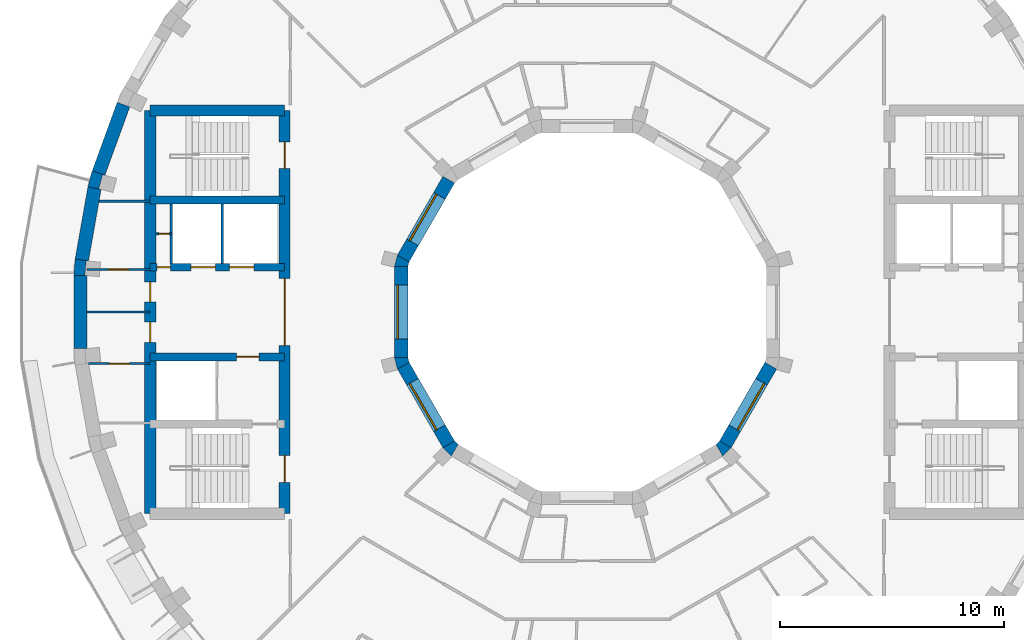
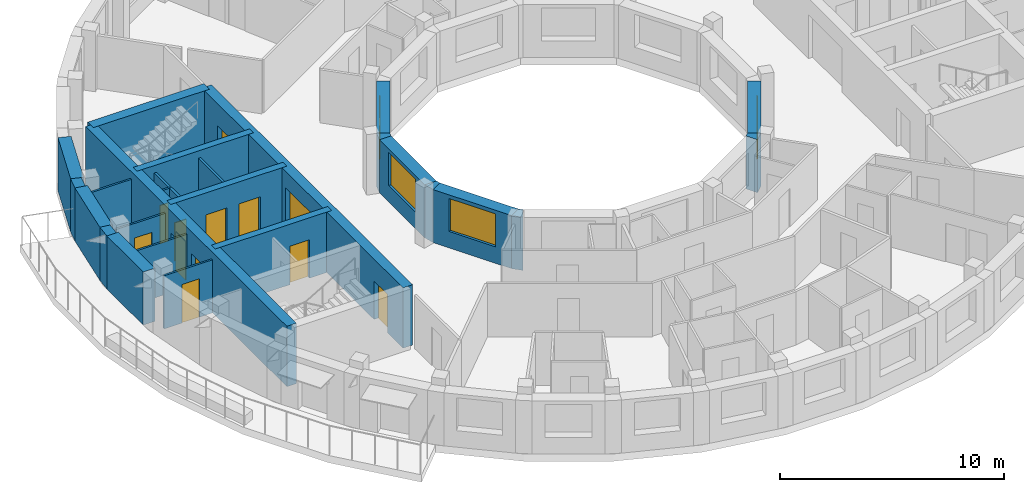
# One storey, part 4 of 10: 26 walls, 12 doors, 4 windows, 16 openings.
"""IFC4 building model written with IfcOpenShell, lengths in metres."""

from ifc_helpers import new_model, si_unit, direction, frame, frame_2d, origin, place, context, subcontext, project, spatial, polyline, rectangle, outline, extrude, material, layer, layer_set, type_object, element, fill, save


model = new_model("IFC4")

# Units and contexts
model_context = context("Model", 3, precision=1e-05, world=origin(), true_north=direction((0.0, 1.0)))
body_context = subcontext(model_context, "Body", "Model", "MODEL_VIEW")
ifc_project = project(units=[si_unit("LENGTHUNIT", "METRE"), si_unit("AREAUNIT", "SQUARE_METRE"), si_unit("VOLUMEUNIT", "CUBIC_METRE"), si_unit("PLANEANGLEUNIT", "RADIAN"), si_unit("MASSUNIT", "GRAM", prefix="KILO")], contexts=[model_context])

# Site, building, storey
site_placement = place(None, origin())
site = spatial("IfcSite", under=ifc_project, at=site_placement, CompositionType="ELEMENT")
building_placement = place(site_placement, origin())
building = spatial("IfcBuilding", under=site, at=building_placement, Name="Saqina Gate Tower", CompositionType="ELEMENT")
storey_placement = place(building_placement, frame((0.0, 0.0, 252.800048828125)))
storey = spatial("IfcBuildingStorey", under=building, at=storey_placement, Name="L72", CompositionType="ELEMENT", Elevation=252.800048828125)

# Walls
ifc_material_1 = material(Name="Brick masonry (buff)", Category="masonry")
wall_type_1 = type_object("IfcWallType", Name="BRICK PIER COPING BUFF", PredefinedType="SOLIDWALL", material=ifc_material_1)
wall_1_placement = place(storey_placement, origin())
element("IfcWall", 1, at=wall_1_placement, inside=storey, type_object=wall_type_1, Name="Pier cap L72 column 17", PredefinedType="SOLIDWALL", context=body_context, shape_type="SweptSolid", body=[
    extrude(outline(polyline([(-22.281982421875, 5.579833984375), (-21.691162109375, 5.4755859375), (-21.793212890625, 5.5029296875), (-21.625, 6.130859375), (-21.52294921875, 6.103515625), (-22.0869140625, 6.30859375), (-22.281982421875, 5.579833984375)])), origin(), (0.0, 0.0, 1.0), 2.89990234375),
])
wall_2_placement = place(storey_placement, origin())
element("IfcWall", 2, at=wall_2_placement, inside=storey, type_object=wall_type_1, Name="Pier cap L72 column 18", PredefinedType="SOLIDWALL", context=body_context, shape_type="SweptSolid", body=[
    extrude(outline(polyline([(-22.8466796875, 2.377685546875), (-22.91259765625, 1.625732421875), (-22.3125, 1.625732421875), (-22.417724609375, 1.635009765625), (-22.361083984375, 2.28271484375), (-22.255859375, 2.2734375), (-22.8466796875, 2.377685546875)])), origin(), (0.0, 0.0, 1.0), 2.89990234375),
])

# Wall, opening, door
ifc_material_2 = material(Name="Gypsum board on steel studs", Category="steel")
ifc_layer_1 = layer(ifc_material_2, 0.10009765625)
ifc_layer_set_1 = layer_set([ifc_layer_1], Name="CORE PARTITION")
wall_type_2 = type_object("IfcWallType", Name="CORE PARTITION", PredefinedType="PARTITIONING", material=ifc_layer_set_1)
wall_3_placement = place(storey_placement, frame((-18.56005859375, 3.5, 0.0), z_axis=(0.0, 0.0, 1.0), x_axis=(-1.0, 0.0, 0.0)))
wall_3 = element("IfcWall", 3, at=wall_3_placement, inside=storey, type_object=wall_type_2, Name="L72-CP-W01", PredefinedType="PARTITIONING", context=body_context, shape_type="SweptSolid", body=[
    extrude(rectangle(XDim=0.68994140625, YDim=0.10009765625, at=frame_2d((0.344970703125, 0.0))), origin(), (0.0, 0.0, 1.0), 2.89990234375),
])
opening_1_placement = place(wall_3_placement, frame((0.10009765625, 0.0, 0.0)))
opening_1 = element("IfcOpeningElement", 4, at=opening_1_placement, cuts=wall_3, Name="Opening G21-D107", PredefinedType="OPENING", context=body_context, shape_type="SweptSolid", body=[
    extrude(rectangle(XDim=0.449951171875, YDim=2.10009765625, at=frame_2d((0.22509765625, 1.050048828125))), frame((0.0, 0.06201171875, 0.0), z_axis=(0.0, -1.0, 0.0), x_axis=(1.0, 0.0, 0.0)), (0.0, 0.0, 1.0), 0.1240234375),
])
ifc_material_3 = material(Name="Steel-framed fire door leaf, EI 60", Category="steel")
door_type_1 = type_object("IfcDoorType", Name="SERVICE ROOM DOOR 450", OperationType="SINGLE_SWING_LEFT", PredefinedType="DOOR", material=ifc_material_3)
door_1_placement = place(opening_1_placement, origin())
door_1 = element("IfcDoor", 5, at=door_1_placement, inside=storey, type_object=door_type_1, Name="L72-CD-W18", OperationType="SINGLE_SWING_RIGHT", OverallHeight=2.10009765625, OverallWidth=0.449951171875, PredefinedType="DOOR", context=body_context, shape_type="SweptSolid", body=[
    extrude(rectangle(XDim=0.449951171875, YDim=2.10009765625, at=frame_2d((0.22509765625, 1.050048828125))), frame((0.0, 0.02490234375, 0.0), z_axis=(0.0, -1.0, 0.0), x_axis=(1.0, 0.0, 0.0)), (0.0, 0.0, 1.0), 0.050048828125),
])
fill(opening_1, door_1)

# Wall
wall_4_placement = place(storey_placement, frame((-19.5, 4.949951171875, 0.0), z_axis=(0.0, 0.0, 1.0), x_axis=(-1.0, 0.0, 0.0)))
element("IfcWall", 6, at=wall_4_placement, inside=storey, type_object=wall_type_2, Name="L72-CP-W02", PredefinedType="PARTITIONING", context=body_context, shape_type="SweptSolid", body=[
    extrude(rectangle(XDim=2.283935546875, YDim=0.10009765625, at=frame_2d((1.14208984375, 0.0))), origin(), (0.0, 0.0, 1.0), 2.89990234375),
])

# Wall, opening, door
wall_5_placement = place(storey_placement, frame((-19.5, 1.89990234375, 0.0), z_axis=(0.0, 0.0, 1.0), x_axis=(-1.0, 0.0, 0.0)))
wall_5 = element("IfcWall", 7, at=wall_5_placement, inside=storey, type_object=wall_type_2, Name="L72-CP-W03", PredefinedType="PARTITIONING", context=body_context, shape_type="SweptSolid", body=[
    extrude(rectangle(XDim=2.8125, YDim=0.10009765625, at=frame_2d((1.40625, 0.0))), origin(), (0.0, 0.0, 1.0), 2.89990234375),
])
opening_2_placement = place(wall_5_placement, frame((0.956298828125, 0.0, 0.0)))
opening_2 = element("IfcOpeningElement", 8, at=opening_2_placement, cuts=wall_5, Name="Opening G21-D103", PredefinedType="OPENING", context=body_context, shape_type="SweptSolid", body=[
    extrude(rectangle(XDim=0.89990234375, YDim=2.10009765625, at=frame_2d((0.449951171875, 1.050048828125))), frame((0.0, 0.06201171875, 0.0), z_axis=(0.0, -1.0, 0.0), x_axis=(1.0, 0.0, 0.0)), (0.0, 0.0, 1.0), 0.1240234375),
])
ifc_material_4 = material(Name="Steel-framed fire door leaf, EI 60", Category="steel")
door_type_2 = type_object("IfcDoorType", Name="SERVICE ROOM DOOR 900", OperationType="SINGLE_SWING_LEFT", PredefinedType="DOOR", material=ifc_material_4)
door_2_placement = place(opening_2_placement, frame((0.89990234375, 0.0, 0.0), z_axis=(0.0, 0.0, 1.0), x_axis=(-1.0, 0.0, 0.0)))
door_2 = element("IfcDoor", 9, at=door_2_placement, inside=storey, type_object=door_type_2, Name="L72-CD-W14", OperationType="SINGLE_SWING_LEFT", OverallHeight=2.10009765625, OverallWidth=0.89990234375, PredefinedType="DOOR", context=body_context, shape_type="SweptSolid", body=[
    extrude(rectangle(XDim=0.89990234375, YDim=2.10009765625, at=frame_2d((0.449951171875, 1.050048828125))), frame((0.0, 0.02490234375, 0.0), z_axis=(0.0, -1.0, 0.0), x_axis=(1.0, 0.0, 0.0)), (0.0, 0.0, 1.0), 0.050048828125),
])
fill(opening_2, door_2)

wall_6_placement = place(storey_placement, frame((-19.5, -2.300048828125, 0.0), z_axis=(0.0, 0.0, 1.0), x_axis=(-1.0, 0.0, 0.0)))
wall_6 = element("IfcWall", 10, at=wall_6_placement, inside=storey, type_object=wall_type_2, Name="L72-CP-W05", PredefinedType="PARTITIONING", context=body_context, shape_type="SweptSolid", body=[
    extrude(rectangle(XDim=2.751220703125, YDim=0.10009765625, at=frame_2d((1.37548828125, 0.0))), origin(), (0.0, 0.0, 1.0), 2.89990234375),
])
opening_3_placement = place(wall_6_placement, frame((0.925537109375, 0.0, 0.0)))
opening_3 = element("IfcOpeningElement", 11, at=opening_3_placement, cuts=wall_6, Name="Opening G21-D105", PredefinedType="OPENING", context=body_context, shape_type="SweptSolid", body=[
    extrude(rectangle(XDim=0.89990234375, YDim=2.10009765625, at=frame_2d((0.449951171875, 1.050048828125))), frame((0.0, 0.06201171875, 0.0), z_axis=(0.0, -1.0, 0.0), x_axis=(1.0, 0.0, 0.0)), (0.0, 0.0, 1.0), 0.1240234375),
])
door_3_placement = place(opening_3_placement, origin())
door_3 = element("IfcDoor", 12, at=door_3_placement, inside=storey, type_object=door_type_2, Name="L72-CD-W16", OperationType="SINGLE_SWING_LEFT", OverallHeight=2.10009765625, OverallWidth=0.89990234375, PredefinedType="DOOR", context=body_context, shape_type="SweptSolid", body=[
    extrude(rectangle(XDim=0.89990234375, YDim=2.10009765625, at=frame_2d((0.449951171875, 1.050048828125))), frame((0.0, 0.02490234375, 0.0), z_axis=(0.0, -1.0, 0.0), x_axis=(1.0, 0.0, 0.0)), (0.0, 0.0, 1.0), 0.050048828125),
])
fill(opening_3, door_3)

# Walls
wall_7_placement = place(storey_placement, frame((-19.5, 0.0, 0.0), z_axis=(0.0, 0.0, 1.0), x_axis=(-1.0, 0.0, 0.0)))
element("IfcWall", 13, at=wall_7_placement, inside=storey, type_object=wall_type_2, Name="L72-CP-W06", PredefinedType="PARTITIONING", context=body_context, shape_type="SweptSolid", body=[
    extrude(rectangle(XDim=2.8125, YDim=0.10009765625, at=frame_2d((1.40625, 0.0))), origin(), (0.0, 0.0, 1.0), 2.89990234375),
])
ifc_material_5 = material(Name="Glazed ceramic tile", Category="ceramic")
ifc_layer_2 = layer(ifc_material_5, 0.60009765625)
ifc_layer_set_2 = layer_set([ifc_layer_2], Name="FW-TILE")
wall_type_3 = type_object("IfcWallType", Name="FW-TILE", PredefinedType="SOLIDWALL", material=ifc_layer_set_2)
wall_8_placement = place(storey_placement, frame((-21.986572265625, 5.52783203125, 0.0), z_axis=(0.0, 0.0, 1.0), x_axis=(-0.173656842178, -0.984806225186, 0.0)))
element("IfcWall", 14, at=wall_8_placement, inside=storey, type_object=wall_type_3, Name="Facade wall L72 facet 17", PredefinedType="SOLIDWALL", context=body_context, shape_type="SweptSolid", body=[
    extrude(rectangle(XDim=3.251708984375, YDim=0.60009765625, at=frame_2d((1.6259765625, 0.0))), origin(), (0.0, 0.0, 1.0), 2.89990234375),
])
ifc_material_6 = material(Name="Glazed ceramic tile (dark blue)", Category="ceramic")
ifc_layer_3 = layer(ifc_material_6, 0.60009765625)
ifc_layer_set_3 = layer_set([ifc_layer_3], Name="FW-TILE-CB")
wall_type_4 = type_object("IfcWallType", Name="FW-TILE-CB", PredefinedType="SOLIDWALL", material=ifc_layer_set_3)
wall_9_placement = place(storey_placement, frame((-22.612548828125, 1.625732421875, 0.0), z_axis=(0.0, 0.0, 1.0), x_axis=(0.0, -1.0, 0.0)))
element("IfcWall", 15, at=wall_9_placement, inside=storey, type_object=wall_type_4, Name="Facade wall L72 facet 18", PredefinedType="SOLIDWALL", context=body_context, shape_type="SweptSolid", body=[
    extrude(rectangle(XDim=3.25146484375, YDim=0.60009765625, at=frame_2d((1.625732421875, 0.0))), origin(), (0.0, 0.0, 1.0), 2.89990234375),
])
ifc_material_7 = material(Name="Glazed ceramic tile (white)", Category="ceramic")
ifc_layer_4 = layer(ifc_material_7, 0.60009765625)
ifc_layer_set_4 = layer_set([ifc_layer_4], Name="FW-TILE-WH")
wall_type_5 = type_object("IfcWallType", Name="FW-TILE-WH", PredefinedType="SOLIDWALL", material=ifc_layer_set_4)
wall_10_placement = place(storey_placement, frame((-20.692626953125, 9.26171875, 0.0), z_axis=(0.0, 0.0, 1.0), x_axis=(-0.342056509473, -0.939679383794, 0.0)))
element("IfcWall", 16, at=wall_10_placement, inside=storey, type_object=wall_type_5, Name="Facade wall L72 facet 16", PredefinedType="SOLIDWALL", context=body_context, shape_type="SweptSolid", body=[
    extrude(rectangle(XDim=3.251708984375, YDim=0.60009765625, at=frame_2d((1.6259765625, 0.0))), origin(), (0.0, 0.0, 1.0), 2.89990234375),
])

# Wall, opening, window
ifc_material_8 = material(Name="Glazed ceramic tile", Category="ceramic")
ifc_layer_5 = layer(ifc_material_8, 0.60009765625)
ifc_layer_set_5 = layer_set([ifc_layer_5], Name="IW-TILE")
wall_type_6 = type_object("IfcWallType", Name="IW-TILE", PredefinedType="SOLIDWALL", material=ifc_layer_set_5)
wall_11_placement = place(storey_placement, frame((-6.17333984375, 5.907470703125, 0.0), z_axis=(0.0, 0.0, 1.0), x_axis=(-0.499994954979, -0.866028316509, 0.0)))
wall_11 = element("IfcWall", 17, at=wall_11_placement, inside=storey, type_object=wall_type_6, Name="Well wall L72 facet 5", PredefinedType="SOLIDWALL", context=body_context, shape_type="SweptSolid", body=[
    extrude(rectangle(XDim=4.05859375, YDim=0.60009765625, at=frame_2d((2.029296875, 0.0))), origin(), (0.0, 0.0, 1.0), 2.89990234375),
])
opening_4_placement = place(wall_11_placement, frame((0.829345703125, 0.0, 0.89990234375)))
opening_4 = element("IfcOpeningElement", 18, at=opening_4_placement, cuts=wall_11, Name="Opening G21-W29", PredefinedType="OPENING", context=body_context, shape_type="SweptSolid", body=[
    extrude(rectangle(XDim=2.39990234375, YDim=1.800048828125, at=frame_2d((1.199951171875, 0.89990234375))), frame((0.0, 0.31201171875, 0.0), z_axis=(0.0, -1.0, 0.0), x_axis=(1.0, 0.0, 0.0)), (0.0, 0.0, 1.0), 0.6240234375),
])
ifc_material_9 = material(Name="Aluminium glazing", Category="aluminium")
window_type = type_object("IfcWindowType", Name="WN-W", PartitioningType="SINGLE_PANEL", PredefinedType="WINDOW", material=ifc_material_9)
window_1_placement = place(opening_4_placement, origin())
window_1 = element("IfcWindow", 19, at=window_1_placement, inside=storey, type_object=window_type, Name="Well window L72 facet 5", OverallHeight=1.800048828125, OverallWidth=2.39990234375, PartitioningType="SINGLE_PANEL", PredefinedType="WINDOW", context=body_context, shape_type="SweptSolid", body=[
    extrude(rectangle(XDim=2.39990234375, YDim=1.800048828125, at=frame_2d((1.199951171875, 0.89990234375))), frame((0.0, -0.119873046875, 0.0), z_axis=(0.0, -1.0, 0.0), x_axis=(1.0, 0.0, 0.0)), (0.0, 0.0, 1.0), 0.06005859375),
])
fill(opening_4, window_1)

wall_12_placement = place(storey_placement, frame((-8.300048828125, 2.029296875, 0.0), z_axis=(0.0, 0.0, 1.0), x_axis=(0.0, -1.0, 0.0)))
wall_12 = element("IfcWall", 20, at=wall_12_placement, inside=storey, type_object=wall_type_6, Name="Well wall L72 facet 6", PredefinedType="SOLIDWALL", context=body_context, shape_type="SweptSolid", body=[
    extrude(rectangle(XDim=4.05859375, YDim=0.60009765625, at=frame_2d((2.029296875, 0.0))), origin(), (0.0, 0.0, 1.0), 2.89990234375),
])
opening_5_placement = place(wall_12_placement, frame((0.829345703125, 0.0, 0.89990234375)))
opening_5 = element("IfcOpeningElement", 21, at=opening_5_placement, cuts=wall_12, Name="Opening G21-W30", PredefinedType="OPENING", context=body_context, shape_type="SweptSolid", body=[
    extrude(rectangle(XDim=2.39990234375, YDim=1.800048828125, at=frame_2d((1.199951171875, 0.89990234375))), frame((0.0, 0.31201171875, 0.0), z_axis=(0.0, -1.0, 0.0), x_axis=(1.0, 0.0, 0.0)), (0.0, 0.0, 1.0), 0.6240234375),
])
window_2_placement = place(opening_5_placement, origin())
window_2 = element("IfcWindow", 22, at=window_2_placement, inside=storey, type_object=window_type, Name="Well window L72 facet 6", OverallHeight=1.800048828125, OverallWidth=2.39990234375, PartitioningType="SINGLE_PANEL", PredefinedType="WINDOW", context=body_context, shape_type="SweptSolid", body=[
    extrude(rectangle(XDim=2.39990234375, YDim=1.800048828125, at=frame_2d((1.199951171875, 0.89990234375))), frame((0.0, -0.119873046875, 0.0), z_axis=(0.0, -1.0, 0.0), x_axis=(1.0, 0.0, 0.0)), (0.0, 0.0, 1.0), 0.06005859375),
])
fill(opening_5, window_2)

wall_13_placement = place(storey_placement, frame((-8.20263671875, -2.392578125, 0.0), z_axis=(0.0, 0.0, 1.0), x_axis=(0.499994954979, -0.866028316509, 0.0)))
wall_13 = element("IfcWall", 23, at=wall_13_placement, inside=storey, type_object=wall_type_6, Name="Well wall L72 facet 7", PredefinedType="SOLIDWALL", context=body_context, shape_type="SweptSolid", body=[
    extrude(rectangle(XDim=4.05859375, YDim=0.60009765625, at=frame_2d((2.029296875, 0.0))), origin(), (0.0, 0.0, 1.0), 2.89990234375),
])
opening_6_placement = place(wall_13_placement, frame((0.829345703125, 0.0, 0.89990234375)))
opening_6 = element("IfcOpeningElement", 24, at=opening_6_placement, cuts=wall_13, Name="Opening G21-W31", PredefinedType="OPENING", context=body_context, shape_type="SweptSolid", body=[
    extrude(rectangle(XDim=2.39990234375, YDim=1.800048828125, at=frame_2d((1.199951171875, 0.89990234375))), frame((0.0, 0.31201171875, 0.0), z_axis=(0.0, -1.0, 0.0), x_axis=(1.0, 0.0, 0.0)), (0.0, 0.0, 1.0), 0.6240234375),
])
window_3_placement = place(opening_6_placement, origin())
window_3 = element("IfcWindow", 25, at=window_3_placement, inside=storey, type_object=window_type, Name="Well window L72 facet 7", OverallHeight=1.800048828125, OverallWidth=2.39990234375, PartitioningType="SINGLE_PANEL", PredefinedType="WINDOW", context=body_context, shape_type="SweptSolid", body=[
    extrude(rectangle(XDim=2.39990234375, YDim=1.800048828125, at=frame_2d((1.199951171875, 0.89990234375))), frame((0.0, -0.119873046875, 0.0), z_axis=(0.0, -1.0, 0.0), x_axis=(1.0, 0.0, 0.0)), (0.0, 0.0, 1.0), 0.06005859375),
])
fill(opening_6, window_3)

wall_14_placement = place(storey_placement, frame((6.17333984375, -5.907470703125, 0.0), z_axis=(0.0, 0.0, 1.0), x_axis=(0.499994954979, 0.866028316509, 0.0)))
wall_14 = element("IfcWall", 26, at=wall_14_placement, inside=storey, type_object=wall_type_6, Name="Well wall L72 facet 11", PredefinedType="SOLIDWALL", context=body_context, shape_type="SweptSolid", body=[
    extrude(rectangle(XDim=4.05859375, YDim=0.60009765625, at=frame_2d((2.029296875, 0.0))), origin(), (0.0, 0.0, 1.0), 2.89990234375),
])
opening_7_placement = place(wall_14_placement, frame((0.829345703125, 0.0, 0.89990234375)))
opening_7 = element("IfcOpeningElement", 27, at=opening_7_placement, cuts=wall_14, Name="Opening G21-W35", PredefinedType="OPENING", context=body_context, shape_type="SweptSolid", body=[
    extrude(rectangle(XDim=2.39990234375, YDim=1.800048828125, at=frame_2d((1.199951171875, 0.89990234375))), frame((0.0, 0.31201171875, 0.0), z_axis=(0.0, -1.0, 0.0), x_axis=(1.0, 0.0, 0.0)), (0.0, 0.0, 1.0), 0.6240234375),
])
window_4_placement = place(opening_7_placement, origin())
window_4 = element("IfcWindow", 28, at=window_4_placement, inside=storey, type_object=window_type, Name="Well window L72 facet 11", OverallHeight=1.800048828125, OverallWidth=2.39990234375, PartitioningType="SINGLE_PANEL", PredefinedType="WINDOW", context=body_context, shape_type="SweptSolid", body=[
    extrude(rectangle(XDim=2.39990234375, YDim=1.800048828125, at=frame_2d((1.199951171875, 0.89990234375))), frame((0.0, -0.119873046875, 0.0), z_axis=(0.0, -1.0, 0.0), x_axis=(1.0, 0.0, 0.0)), (0.0, 0.0, 1.0), 0.06005859375),
])
fill(opening_7, window_4)

# Walls
ifc_material_10 = material(Name="Autoclaved aerated concrete block", Category="concrete")
ifc_layer_6 = layer(ifc_material_10, 0.1201171875)
ifc_layer_set_6 = layer_set([ifc_layer_6], Name="SHAFT PARTITION")
wall_type_7 = type_object("IfcWallType", Name="SHAFT PARTITION", PredefinedType="PARTITIONING", material=ifc_layer_set_6)
for number, where, z_axis, x_axis, name in (
    (29, (-16.280029296875, 2.175048828125, 0.0), (0.0, 0.0, 1.0), (0.0, 1.0, 0.0), "L72-CP-W07"),
    (30, (-18.56005859375, 2.175048828125, 0.0), (0.0, 0.0, 1.0), (0.0, 1.0, 0.0), "L72-CP-W08"),
):
    element("IfcWall", number, at=place(storey_placement, frame(where, z_axis=z_axis, x_axis=x_axis)), inside=storey, type_object=wall_type_7, Name=name, PredefinedType="PARTITIONING", context=body_context, shape_type="SweptSolid", body=[
        extrude(rectangle(XDim=2.64990234375, YDim=0.1201171875, at=frame_2d((1.324951171875, 0.0))), origin(), (0.0, 0.0, 1.0), 2.89990234375),
    ])
ifc_material_11 = material(Name="Concrete C60/75", Category="concrete")
ifc_layer_7 = layer(ifc_material_11, 0.35009765625)
ifc_layer_set_7 = layer_set([ifc_layer_7], Name="Concrete C60/75")
wall_type_8 = type_object("IfcWallType", Name="STR-CORE WALL-D-I", PredefinedType="SHEAR", material=ifc_layer_set_7)
wall_15_placement = place(storey_placement, frame((-13.5, 5.0, 0.0), z_axis=(0.0, 0.0, 1.0), x_axis=(-1.0, 0.0, 0.0)))
element("IfcWall", 31, at=wall_15_placement, inside=storey, type_object=wall_type_8, Name="CORE WALL L72 W-X1", PredefinedType="SHEAR", context=body_context, shape_type="SweptSolid", body=[
    extrude(rectangle(XDim=6.0, YDim=0.35009765625, at=frame_2d((3.0, 0.0))), origin(), (0.0, 0.0, 1.0), 3.300048828125),
])

# Wall, openings, doors
wall_16_placement = place(storey_placement, frame((-13.5, 2.0, 0.0), z_axis=(0.0, 0.0, 1.0), x_axis=(-1.0, 0.0, 0.0)))
wall_16 = element("IfcWall", 32, at=wall_16_placement, inside=storey, type_object=wall_type_8, Name="CORE WALL L72 W-L1", PredefinedType="SHEAR", context=body_context, shape_type="SweptSolid", body=[
    extrude(rectangle(XDim=6.0, YDim=0.35009765625, at=frame_2d((3.0, 0.0))), origin(), (0.0, 0.0, 1.0), 3.300048828125),
])
opening_8_placement = place(wall_16_placement, frame((1.3701171875, 0.0, 0.0)))
opening_8 = element("IfcOpeningElement", 33, at=opening_8_placement, cuts=wall_16, Name="Opening G21-LD4", PredefinedType="OPENING", context=body_context, shape_type="SweptSolid", body=[
    extrude(rectangle(XDim=1.10009765625, YDim=2.10009765625, at=frame_2d((0.550048828125, 1.050048828125))), frame((0.0, 0.18701171875, 0.0), z_axis=(0.0, -1.0, 0.0), x_axis=(1.0, 0.0, 0.0)), (0.0, 0.0, 1.0), 0.3740234375),
])
opening_9_placement = place(wall_16_placement, frame((3.090087890625, 0.0, 0.0)))
opening_9 = element("IfcOpeningElement", 34, at=opening_9_placement, cuts=wall_16, Name="Opening G21-LD5", PredefinedType="OPENING", context=body_context, shape_type="SweptSolid", body=[
    extrude(rectangle(XDim=1.10009765625, YDim=2.10009765625, at=frame_2d((0.550048828125, 1.050048828125))), frame((0.0, 0.18701171875, 0.0), z_axis=(0.0, -1.0, 0.0), x_axis=(1.0, 0.0, 0.0)), (0.0, 0.0, 1.0), 0.3740234375),
])
opening_10_placement = place(wall_16_placement, frame((5.10498046875, 0.0, 0.0)))
opening_10 = element("IfcOpeningElement", 35, at=opening_10_placement, cuts=wall_16, Name="Opening G21-D101", PredefinedType="OPENING", context=body_context, shape_type="SweptSolid", body=[
    extrude(rectangle(XDim=0.60009765625, YDim=2.10009765625, at=frame_2d((0.300048828125, 1.050048828125))), frame((0.0, 0.18701171875, 0.0), z_axis=(0.0, -1.0, 0.0), x_axis=(1.0, 0.0, 0.0)), (0.0, 0.0, 1.0), 0.3740234375),
])
ifc_material_12 = material(Name="Stainless steel", Category="steel")
door_type_3 = type_object("IfcDoorType", Name="LANDING DOOR", OperationType="DOUBLE_DOOR_SLIDING", PredefinedType="DOOR", material=ifc_material_12)
door_4_placement = place(opening_8_placement, origin())
door_4 = element("IfcDoor", 36, at=door_4_placement, inside=storey, type_object=door_type_3, Name="LANDING DOOR HR3", OperationType="DOUBLE_DOOR_SLIDING", OverallHeight=2.10009765625, OverallWidth=1.10009765625, PredefinedType="DOOR", context=body_context, shape_type="SweptSolid", body=[
    extrude(rectangle(XDim=1.10009765625, YDim=2.10009765625, at=frame_2d((0.550048828125, 1.050048828125))), frame((0.0, 0.02490234375, 0.0), z_axis=(0.0, -1.0, 0.0), x_axis=(1.0, 0.0, 0.0)), (0.0, 0.0, 1.0), 0.050048828125),
])
fill(opening_8, door_4)
door_5_placement = place(opening_9_placement, origin())
door_5 = element("IfcDoor", 37, at=door_5_placement, inside=storey, type_object=door_type_3, Name="LANDING DOOR HR4", OperationType="DOUBLE_DOOR_SLIDING", OverallHeight=2.10009765625, OverallWidth=1.10009765625, PredefinedType="DOOR", context=body_context, shape_type="SweptSolid", body=[
    extrude(rectangle(XDim=1.10009765625, YDim=2.10009765625, at=frame_2d((0.550048828125, 1.050048828125))), frame((0.0, 0.02490234375, 0.0), z_axis=(0.0, -1.0, 0.0), x_axis=(1.0, 0.0, 0.0)), (0.0, 0.0, 1.0), 0.050048828125),
])
fill(opening_9, door_5)
ifc_material_13 = material(Name="Steel-framed fire door leaf, EI 60", Category="steel")
door_type_4 = type_object("IfcDoorType", Name="SERVICE ROOM DOOR 600", OperationType="SINGLE_SWING_LEFT", PredefinedType="DOOR", material=ifc_material_13)
door_6_placement = place(opening_10_placement, frame((0.60009765625, 0.0, 0.0), z_axis=(0.0, 0.0, 1.0), x_axis=(-1.0, 0.0, 0.0)))
door_6 = element("IfcDoor", 38, at=door_6_placement, inside=storey, type_object=door_type_4, Name="L72-CD-W12", OperationType="SINGLE_SWING_LEFT", OverallHeight=2.10009765625, OverallWidth=0.60009765625, PredefinedType="DOOR", context=body_context, shape_type="SweptSolid", body=[
    extrude(rectangle(XDim=0.60009765625, YDim=2.10009765625, at=frame_2d((0.300048828125, 1.050048828125))), frame((0.0, 0.02490234375, 0.0), z_axis=(0.0, -1.0, 0.0), x_axis=(1.0, 0.0, 0.0)), (0.0, 0.0, 1.0), 0.050048828125),
])
fill(opening_10, door_6)

# Wall, opening, door
wall_17_placement = place(storey_placement, frame((-13.5, -2.0, 0.0), z_axis=(0.0, 0.0, 1.0), x_axis=(-1.0, 0.0, 0.0)))
wall_17 = element("IfcWall", 39, at=wall_17_placement, inside=storey, type_object=wall_type_8, Name="CORE WALL L72 W-L2", PredefinedType="SHEAR", context=body_context, shape_type="SweptSolid", body=[
    extrude(rectangle(XDim=6.0, YDim=0.35009765625, at=frame_2d((3.0, 0.0))), origin(), (0.0, 0.0, 1.0), 3.300048828125),
])
opening_11_placement = place(wall_17_placement, frame((1.139892578125, 0.0, 0.0)))
opening_11 = element("IfcOpeningElement", 40, at=opening_11_placement, cuts=wall_17, Name="Opening G21-D102", PredefinedType="OPENING", context=body_context, shape_type="SweptSolid", body=[
    extrude(rectangle(XDim=1.0, YDim=2.10009765625, at=frame_2d((0.5, 1.050048828125))), frame((0.0, 0.18701171875, 0.0), z_axis=(0.0, -1.0, 0.0), x_axis=(1.0, 0.0, 0.0)), (0.0, 0.0, 1.0), 0.3740234375),
])
ifc_material_14 = material(Name="Steel", Category="steel")
door_type_5 = type_object("IfcDoorType", Name="FIRE LOBBY DOOR EI 60", OperationType="SINGLE_SWING_LEFT", PredefinedType="DOOR", material=ifc_material_14)
door_7_placement = place(opening_11_placement, frame((1.0, 0.0, 0.0), z_axis=(0.0, 0.0, 1.0), x_axis=(-1.0, 0.0, 0.0)))
door_7 = element("IfcDoor", 41, at=door_7_placement, inside=storey, type_object=door_type_5, Name="L72-CD-W13", OperationType="SINGLE_SWING_RIGHT", OverallHeight=2.10009765625, OverallWidth=1.0, PredefinedType="DOOR", context=body_context, shape_type="SweptSolid", body=[
    extrude(rectangle(XDim=1.0, YDim=2.10009765625, at=frame_2d((0.5, 1.050048828125))), frame((0.0, 0.02490234375, 0.0), z_axis=(0.0, -1.0, 0.0), x_axis=(1.0, 0.0, 0.0)), (0.0, 0.0, 1.0), 0.050048828125),
])
fill(opening_11, door_7)

# Wall, openings, doors
ifc_material_15 = material(Name="Concrete C60/75", Category="concrete")
ifc_layer_8 = layer(ifc_material_15, 0.5)
ifc_layer_set_8 = layer_set([ifc_layer_8], Name="Concrete C60/75")
wall_type_9 = type_object("IfcWallType", Name="STR-CORE WALL-D-O", PredefinedType="SHEAR", material=ifc_layer_set_8)
wall_18_placement = place(storey_placement, frame((-13.5, -9.0, 0.0), z_axis=(0.0, 0.0, 1.0), x_axis=(0.0, 1.0, 0.0)))
wall_18 = element("IfcWall", 42, at=wall_18_placement, inside=storey, type_object=wall_type_9, Name="CORE WALL L72 W-W1", PredefinedType="SHEAR", context=body_context, shape_type="SweptSolid", body=[
    extrude(rectangle(XDim=18.0, YDim=0.5, at=frame_2d((9.0, 0.0))), origin(), (0.0, 0.0, 1.0), 3.300048828125),
])
opening_12_placement = place(wall_18_placement, frame((15.39990234375, 0.0, 0.0)))
opening_12 = element("IfcOpeningElement", 43, at=opening_12_placement, cuts=wall_18, Name="Opening G21-D109", PredefinedType="OPENING", context=body_context, shape_type="SweptSolid", body=[
    extrude(rectangle(XDim=1.199951171875, YDim=2.10009765625, at=frame_2d((0.60009765625, 1.050048828125))), frame((0.0, 0.261962890625, 0.0), z_axis=(0.0, -1.0, 0.0), x_axis=(1.0, 0.0, 0.0)), (0.0, 0.0, 1.0), 0.52392578125),
])
opening_13_placement = place(wall_18_placement, frame((1.39990234375, 0.0, 0.0)))
opening_13 = element("IfcOpeningElement", 44, at=opening_13_placement, cuts=wall_18, Name="Opening G21-D110", PredefinedType="OPENING", context=body_context, shape_type="SweptSolid", body=[
    extrude(rectangle(XDim=1.199951171875, YDim=2.10009765625, at=frame_2d((0.60009765625, 1.050048828125))), frame((0.0, 0.261962890625, 0.0), z_axis=(0.0, -1.0, 0.0), x_axis=(1.0, 0.0, 0.0)), (0.0, 0.0, 1.0), 0.52392578125),
])
opening_14_placement = place(wall_18_placement, frame((7.5, 0.0, 0.0)))
opening_14 = element("IfcOpeningElement", 45, at=opening_14_placement, cuts=wall_18, Name="Opening G21-D111", PredefinedType="OPENING", context=body_context, shape_type="SweptSolid", body=[
    extrude(rectangle(XDim=3.0, YDim=2.39990234375, at=frame_2d((1.5, 1.199951171875))), frame((0.0, 0.261962890625, 0.0), z_axis=(0.0, -1.0, 0.0), x_axis=(1.0, 0.0, 0.0)), (0.0, 0.0, 1.0), 0.52392578125),
])
ifc_material_16 = material(Name="Steel", Category="steel")
door_type_6 = type_object("IfcDoorType", Name="FIRE DOOR EI 60", OperationType="SINGLE_SWING_LEFT", PredefinedType="DOOR", material=ifc_material_16)
door_8_placement = place(opening_12_placement, origin())
door_8 = element("IfcDoor", 46, at=door_8_placement, inside=storey, type_object=door_type_6, Name="L72-CD-W20", OperationType="SINGLE_SWING_RIGHT", OverallHeight=2.10009765625, OverallWidth=1.199951171875, PredefinedType="DOOR", context=body_context, shape_type="SweptSolid", body=[
    extrude(rectangle(XDim=1.199951171875, YDim=2.10009765625, at=frame_2d((0.60009765625, 1.050048828125))), frame((0.0, 0.02490234375, 0.0), z_axis=(0.0, -1.0, 0.0), x_axis=(1.0, 0.0, 0.0)), (0.0, 0.0, 1.0), 0.050048828125),
])
fill(opening_12, door_8)
door_9_placement = place(opening_13_placement, origin())
door_9 = element("IfcDoor", 47, at=door_9_placement, inside=storey, type_object=door_type_6, Name="L72-CD-W21", OperationType="SINGLE_SWING_LEFT", OverallHeight=2.10009765625, OverallWidth=1.199951171875, PredefinedType="DOOR", context=body_context, shape_type="SweptSolid", body=[
    extrude(rectangle(XDim=1.199951171875, YDim=2.10009765625, at=frame_2d((0.60009765625, 1.050048828125))), frame((0.0, 0.02490234375, 0.0), z_axis=(0.0, -1.0, 0.0), x_axis=(1.0, 0.0, 0.0)), (0.0, 0.0, 1.0), 0.050048828125),
])
fill(opening_13, door_9)
ifc_material_17 = material(Name="Steel and fire-resisting glass", Category="steel")
door_type_7 = type_object("IfcDoorType", Name="LOBBY SCREEN DOOR", OperationType="DOUBLE_DOOR_SLIDING", PredefinedType="DOOR", material=ifc_material_17)
door_10_placement = place(opening_14_placement, origin())
door_10 = element("IfcDoor", 48, at=door_10_placement, inside=storey, type_object=door_type_7, Name="L72-CD-W22", OperationType="DOUBLE_DOOR_SLIDING", OverallHeight=2.39990234375, OverallWidth=3.0, PredefinedType="DOOR", context=body_context, shape_type="SweptSolid", body=[
    extrude(rectangle(XDim=3.0, YDim=2.39990234375, at=frame_2d((1.5, 1.199951171875))), frame((0.0, 0.02490234375, 0.0), z_axis=(0.0, -1.0, 0.0), x_axis=(1.0, 0.0, 0.0)), (0.0, 0.0, 1.0), 0.050048828125),
])
fill(opening_14, door_10)

wall_19_placement = place(storey_placement, frame((-19.5, -9.0, 0.0), z_axis=(0.0, 0.0, 1.0), x_axis=(0.0, 1.0, 0.0)))
wall_19 = element("IfcWall", 49, at=wall_19_placement, inside=storey, type_object=wall_type_9, Name="CORE WALL L72 W-W2", PredefinedType="SHEAR", context=body_context, shape_type="SweptSolid", body=[
    extrude(rectangle(XDim=18.0, YDim=0.5, at=frame_2d((9.0, 0.0))), origin(), (0.0, 0.0, 1.0), 3.300048828125),
])
opening_15_placement = place(wall_19_placement, frame((9.449951171875, 0.0, 0.0)))
opening_15 = element("IfcOpeningElement", 50, at=opening_15_placement, cuts=wall_19, Name="Opening G21-D104", PredefinedType="OPENING", context=body_context, shape_type="SweptSolid", body=[
    extrude(rectangle(XDim=0.89990234375, YDim=2.10009765625, at=frame_2d((0.449951171875, 1.050048828125))), frame((0.0, 0.261962890625, 0.0), z_axis=(0.0, -1.0, 0.0), x_axis=(1.0, 0.0, 0.0)), (0.0, 0.0, 1.0), 0.52392578125),
])
opening_16_placement = place(wall_19_placement, frame((7.64990234375, 0.0, 0.0)))
opening_16 = element("IfcOpeningElement", 51, at=opening_16_placement, cuts=wall_19, Name="Opening G21-D106", PredefinedType="OPENING", context=body_context, shape_type="SweptSolid", body=[
    extrude(rectangle(XDim=0.89990234375, YDim=2.10009765625, at=frame_2d((0.449951171875, 1.050048828125))), frame((0.0, 0.261962890625, 0.0), z_axis=(0.0, -1.0, 0.0), x_axis=(1.0, 0.0, 0.0)), (0.0, 0.0, 1.0), 0.52392578125),
])
door_11_placement = place(opening_15_placement, origin())
door_11 = element("IfcDoor", 52, at=door_11_placement, inside=storey, type_object=door_type_2, Name="L72-CD-W15", OperationType="SINGLE_SWING_RIGHT", OverallHeight=2.10009765625, OverallWidth=0.89990234375, PredefinedType="DOOR", context=body_context, shape_type="SweptSolid", body=[
    extrude(rectangle(XDim=0.89990234375, YDim=2.10009765625, at=frame_2d((0.449951171875, 1.050048828125))), frame((0.0, 0.02490234375, 0.0), z_axis=(0.0, -1.0, 0.0), x_axis=(1.0, 0.0, 0.0)), (0.0, 0.0, 1.0), 0.050048828125),
])
fill(opening_15, door_11)
door_12_placement = place(opening_16_placement, origin())
door_12 = element("IfcDoor", 53, at=door_12_placement, inside=storey, type_object=door_type_2, Name="L72-CD-W17", OperationType="SINGLE_SWING_RIGHT", OverallHeight=2.10009765625, OverallWidth=0.89990234375, PredefinedType="DOOR", context=body_context, shape_type="SweptSolid", body=[
    extrude(rectangle(XDim=0.89990234375, YDim=2.10009765625, at=frame_2d((0.449951171875, 1.050048828125))), frame((0.0, 0.02490234375, 0.0), z_axis=(0.0, -1.0, 0.0), x_axis=(1.0, 0.0, 0.0)), (0.0, 0.0, 1.0), 0.050048828125),
])
fill(opening_16, door_12)

# Walls
wall_20_placement = place(storey_placement, frame((-13.5, 9.0, 0.0), z_axis=(0.0, 0.0, 1.0), x_axis=(-1.0, 0.0, 0.0)))
element("IfcWall", 54, at=wall_20_placement, inside=storey, type_object=wall_type_9, Name="CORE WALL L72 W-NE", PredefinedType="SHEAR", context=body_context, shape_type="SweptSolid", body=[
    extrude(rectangle(XDim=6.0, YDim=0.5, at=frame_2d((3.0, 0.0))), origin(), (0.0, 0.0, 1.0), 3.300048828125),
])
ifc_material_18 = material(Name="Glazed ceramic tile", Category="ceramic")
wall_type_10 = type_object("IfcWallType", Name="TILE PIER COPING", PredefinedType="SOLIDWALL", material=ifc_material_18)
wall_21_placement = place(storey_placement, origin())
element("IfcWall", 55, at=wall_21_placement, inside=storey, type_object=wall_type_10, Name="Well pier cap L72 column 6", PredefinedType="SOLIDWALL", context=body_context, shape_type="SweptSolid", body=[
    extrude(outline(polyline([(-8.60009765625, 2.029296875), (-8.0, 2.029296875), (-7.94287109375, 2.242431640625), (-8.46240234375, 2.54248046875), (-8.60009765625, 2.029296875)])), origin(), (0.0, 0.0, 1.0), 2.89990234375),
])
wall_22_placement = place(storey_placement, origin())
element("IfcWall", 56, at=wall_22_placement, inside=storey, type_object=wall_type_10, Name="Well pier cap L72 column 7", PredefinedType="SOLIDWALL", context=body_context, shape_type="SweptSolid", body=[
    extrude(outline(polyline([(-8.46240234375, -2.54248046875), (-7.94287109375, -2.242431640625), (-8.0, -2.029296875), (-8.60009765625, -2.029296875), (-8.46240234375, -2.54248046875)])), origin(), (0.0, 0.0, 1.0), 2.89990234375),
])
wall_23_placement = place(storey_placement, origin())
element("IfcWall", 57, at=wall_23_placement, inside=storey, type_object=wall_type_10, Name="Well pier cap L72 column 8", PredefinedType="SOLIDWALL", context=body_context, shape_type="SweptSolid", body=[
    extrude(outline(polyline([(-6.0576171875, -6.43310546875), (-5.757568359375, -5.91357421875), (-5.91357421875, -5.757568359375), (-6.43310546875, -6.0576171875), (-6.0576171875, -6.43310546875)])), origin(), (0.0, 0.0, 1.0), 2.89990234375),
])
wall_24_placement = place(storey_placement, origin())
element("IfcWall", 58, at=wall_24_placement, inside=storey, type_object=wall_type_10, Name="Well pier cap L72 column 11", PredefinedType="SOLIDWALL", context=body_context, shape_type="SweptSolid", body=[
    extrude(outline(polyline([(6.43310546875, -6.0576171875), (5.91357421875, -5.757568359375), (5.757568359375, -5.91357421875), (6.0576171875, -6.43310546875), (6.43310546875, -6.0576171875)])), origin(), (0.0, 0.0, 1.0), 2.89990234375),
])

save(model, "model.ifc")
